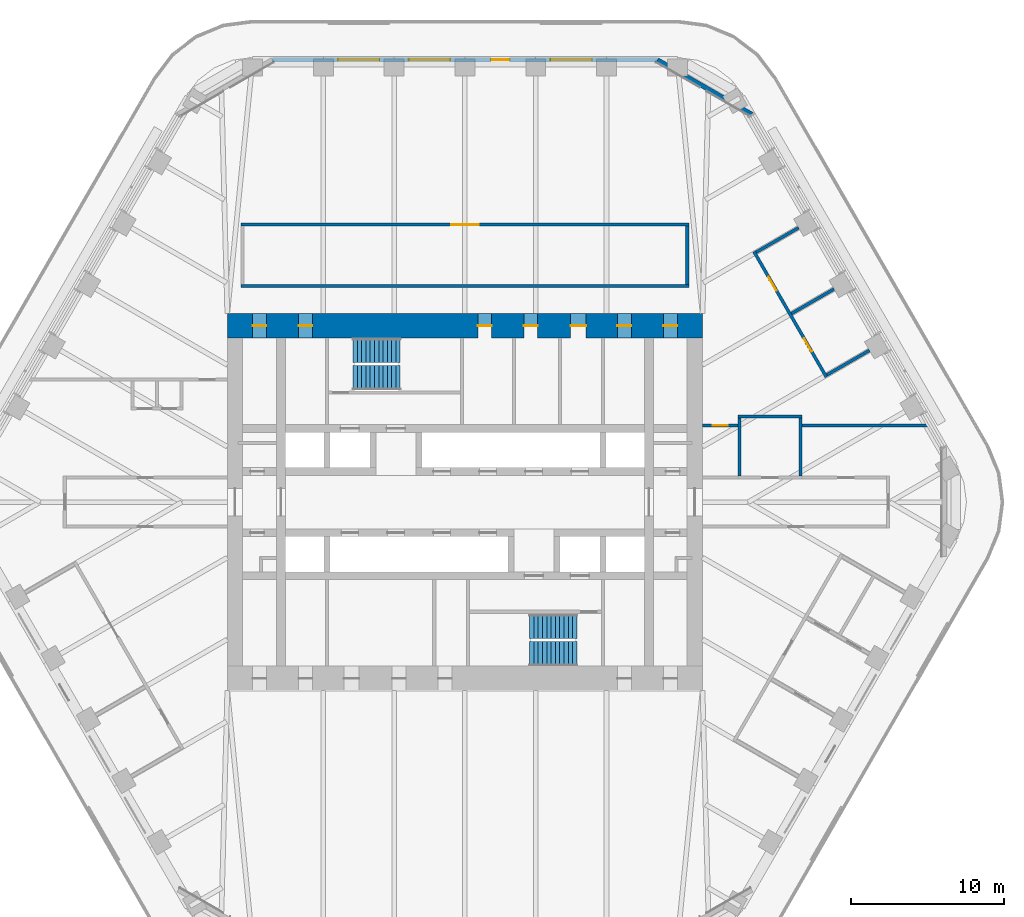
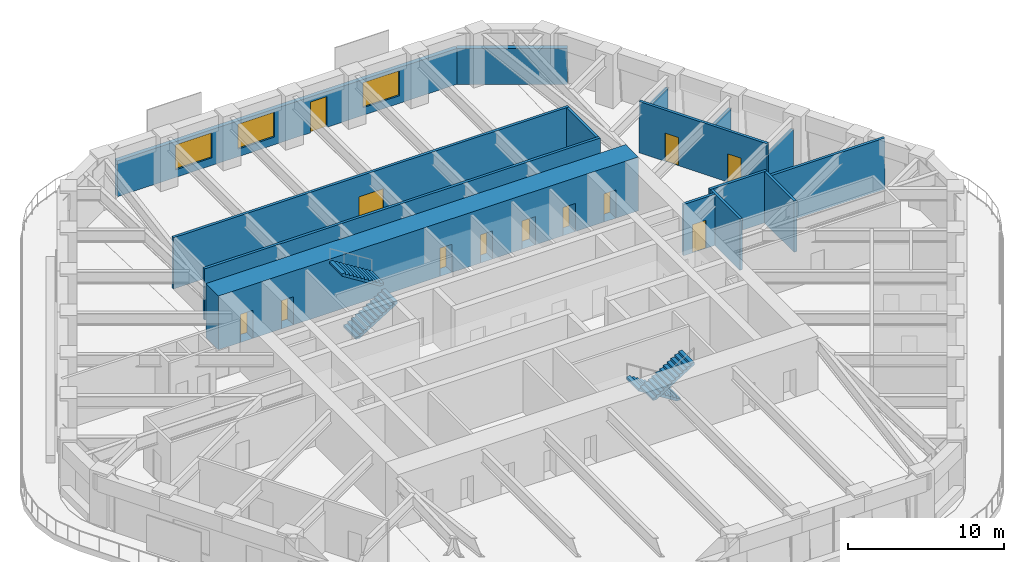
# One storey, part 17 of 20: 15 walls, 12 doors, 4 stair flights, 3 windows, 15 openings, 2 elements without a shape of their own.
"""IFC4 building model written with IfcOpenShell, lengths in metres."""

from ifc_helpers import new_model, si_unit, direction, frame, frame_2d, origin, place, context, subcontext, project, spatial, polyline, rectangle, outline, extrude, material, layer, layer_set, type_object, element, fill, aggregate, save


model = new_model("IFC4")

# Units and contexts
model_context = context("Model", 3, precision=1e-05, world=origin(), true_north=direction((0.0, 1.0)))
body_context = subcontext(model_context, "Body", "Model", "MODEL_VIEW")
ifc_project = project(units=[si_unit("LENGTHUNIT", "METRE"), si_unit("AREAUNIT", "SQUARE_METRE"), si_unit("VOLUMEUNIT", "CUBIC_METRE"), si_unit("PLANEANGLEUNIT", "RADIAN"), si_unit("MASSUNIT", "GRAM", prefix="KILO")], contexts=[model_context])

# Site, building, storey
site_placement = place(None, origin())
site = spatial("IfcSite", under=ifc_project, at=site_placement, CompositionType="ELEMENT")
building_placement = place(site_placement, origin())
building = spatial("IfcBuilding", under=site, at=building_placement, Name="Tarfa Lantern Tower", CompositionType="ELEMENT")
storey_placement = place(building_placement, frame((0.0, 0.0, 253.300048828125)))
storey = spatial("IfcBuildingStorey", under=building, at=storey_placement, Name="L57", CompositionType="ELEMENT", Elevation=253.300048828125)

# Wall
ifc_material_1 = material(Name="Limestone cladding on blockwork", Category="masonry")
ifc_layer_1 = layer(ifc_material_1, 0.300048828125)
ifc_layer_set_1 = layer_set([ifc_layer_1], Name="EW1 STONE-CLAD WALL 300")
wall_type_1 = type_object("IfcWallType", Name="EW1 STONE-CLAD WALL 300", PredefinedType="SOLIDWALL", material=ifc_layer_set_1)
wall_1_placement = place(storey_placement, frame((18.70654296875, 25.299072265625, 0.0), z_axis=(0.0, 0.0, 1.0), x_axis=(-0.866010973379, 0.500024993363, 0.0)))
element("IfcWall", 1, at=wall_1_placement, inside=storey, type_object=wall_type_1, Name="Garden wall NE-N", PredefinedType="SOLIDWALL", context=body_context, shape_type="SweptSolid", body=[
    extrude(rectangle(XDim=7.101806640625, YDim=0.300048828125, at=frame_2d((3.55078125, 0.0))), origin(), (0.0, 0.0, 1.0), 2.800048828125),
])

# Wall, openings, door, windows
wall_2_placement = place(storey_placement, frame((12.556396484375, 28.85009765625, 0.0), z_axis=(0.0, 0.0, 1.0), x_axis=(-1.0, 0.0, 0.0)))
wall_2 = element("IfcWall", 2, at=wall_2_placement, inside=storey, type_object=wall_type_1, Name="Stone wall N", PredefinedType="SOLIDWALL", context=body_context, shape_type="SweptSolid", body=[
    extrude(rectangle(XDim=25.11279296875, YDim=0.300048828125, at=frame_2d((12.556396484375, 0.0))), origin(), (0.0, 0.0, 1.0), 2.800048828125),
])
opening_1_placement = place(wall_2_placement, frame((4.2783203125, 0.0, 0.60009765625)))
opening_1 = element("IfcOpeningElement", 3, at=opening_1_placement, cuts=wall_2, Name="Opening W14", PredefinedType="OPENING", context=body_context, shape_type="SweptSolid", body=[
    extrude(rectangle(XDim=2.699951171875, YDim=1.949951171875, at=frame_2d((1.35009765625, 0.97509765625))), frame((0.0, 0.159912109375, 0.0), z_axis=(0.0, -1.0, 0.0), x_axis=(1.0, 0.0, 0.0)), (0.0, 0.0, 1.0), 0.320068359375),
])
opening_2_placement = place(wall_2_placement, frame((9.64697265625, 0.0, 0.0)))
opening_2 = element("IfcOpeningElement", 4, at=opening_2_placement, cuts=wall_2, Name="Opening D47", PredefinedType="OPENING", context=body_context, shape_type="SweptSolid", body=[
    extrude(rectangle(XDim=1.199951171875, YDim=2.39990234375, at=frame_2d((0.60009765625, 1.199951171875))), frame((0.0, 0.159912109375, 0.0), z_axis=(0.0, -1.0, 0.0), x_axis=(1.0, 0.0, 0.0)), (0.0, 0.0, 1.0), 0.320068359375),
])
opening_3_placement = place(wall_2_placement, frame((13.515869140625, 0.0, 0.60009765625)))
opening_3 = element("IfcOpeningElement", 5, at=opening_3_placement, cuts=wall_2, Name="Opening W14", PredefinedType="OPENING", context=body_context, shape_type="SweptSolid", body=[
    extrude(rectangle(XDim=2.699951171875, YDim=1.949951171875, at=frame_2d((1.35009765625, 0.97509765625))), frame((0.0, 0.159912109375, 0.0), z_axis=(0.0, -1.0, 0.0), x_axis=(1.0, 0.0, 0.0)), (0.0, 0.0, 1.0), 0.320068359375),
])
opening_4_placement = place(wall_2_placement, frame((18.134521484375, 0.0, 0.60009765625)))
opening_4 = element("IfcOpeningElement", 6, at=opening_4_placement, cuts=wall_2, Name="Opening W14", PredefinedType="OPENING", context=body_context, shape_type="SweptSolid", body=[
    extrude(rectangle(XDim=2.699951171875, YDim=1.949951171875, at=frame_2d((1.35009765625, 0.97509765625))), frame((0.0, 0.159912109375, 0.0), z_axis=(0.0, -1.0, 0.0), x_axis=(1.0, 0.0, 0.0)), (0.0, 0.0, 1.0), 0.320068359375),
])
ifc_material_2 = material(Name="Aluminium framed glazed door", Category="aluminium")
door_type_1 = type_object("IfcDoorType", Name="BE3 BALCONY DOOR 1200x2400", OperationType="SINGLE_SWING_RIGHT", PredefinedType="DOOR", material=ifc_material_2)
door_1_placement = place(opening_2_placement, origin())
door_1 = element("IfcDoor", 7, at=door_1_placement, inside=storey, type_object=door_type_1, Name="Balcony door N", OperationType="SINGLE_SWING_RIGHT", OverallHeight=2.39990234375, OverallWidth=1.199951171875, PredefinedType="DOOR", context=body_context, shape_type="SweptSolid", body=[
    extrude(rectangle(XDim=1.199951171875, YDim=2.39990234375, at=frame_2d((0.60009765625, 1.199951171875))), frame((0.0, 0.02490234375, 0.0), z_axis=(0.0, -1.0, 0.0), x_axis=(1.0, 0.0, 0.0)), (0.0, 0.0, 1.0), 0.050048828125),
])
fill(opening_2, door_1)
ifc_material_3 = material(Name="Aluminium frame, double glazed", Category="aluminium")
window_type = type_object("IfcWindowType", Name="W14 FULL-HEIGHT GLAZING 2700x1950", PartitioningType="SINGLE_PANEL", PredefinedType="WINDOW", material=ifc_material_3)
window_1_placement = place(opening_1_placement, origin())
window_1 = element("IfcWindow", 8, at=window_1_placement, inside=storey, type_object=window_type, Name="Window N 2", OverallHeight=1.949951171875, OverallWidth=2.699951171875, PartitioningType="SINGLE_PANEL", PredefinedType="WINDOW", context=body_context, shape_type="SweptSolid", body=[
    extrude(rectangle(XDim=2.699951171875, YDim=1.949951171875, at=frame_2d((1.35009765625, 0.97509765625))), frame((0.0, 0.030029296875, 0.0), z_axis=(0.0, -1.0, 0.0), x_axis=(1.0, 0.0, 0.0)), (0.0, 0.0, 1.0), 0.06005859375),
])
fill(opening_1, window_1)
window_2_placement = place(opening_3_placement, origin())
window_2 = element("IfcWindow", 9, at=window_2_placement, inside=storey, type_object=window_type, Name="Window N 4", OverallHeight=1.949951171875, OverallWidth=2.699951171875, PartitioningType="SINGLE_PANEL", PredefinedType="WINDOW", context=body_context, shape_type="SweptSolid", body=[
    extrude(rectangle(XDim=2.699951171875, YDim=1.949951171875, at=frame_2d((1.35009765625, 0.97509765625))), frame((0.0, 0.030029296875, 0.0), z_axis=(0.0, -1.0, 0.0), x_axis=(1.0, 0.0, 0.0)), (0.0, 0.0, 1.0), 0.06005859375),
])
fill(opening_3, window_2)
window_3_placement = place(opening_4_placement, origin())
window_3 = element("IfcWindow", 10, at=window_3_placement, inside=storey, type_object=window_type, Name="Window N 5", OverallHeight=1.949951171875, OverallWidth=2.699951171875, PartitioningType="SINGLE_PANEL", PredefinedType="WINDOW", context=body_context, shape_type="SweptSolid", body=[
    extrude(rectangle(XDim=2.699951171875, YDim=1.949951171875, at=frame_2d((1.35009765625, 0.97509765625))), frame((0.0, 0.030029296875, 0.0), z_axis=(0.0, -1.0, 0.0), x_axis=(1.0, 0.0, 0.0)), (0.0, 0.0, 1.0), 0.06005859375),
])
fill(opening_4, window_3)

# Wall
ifc_material_4 = material(Name="Gypsum board on steel studs", Category="steel")
ifc_layer_2 = layer(ifc_material_4, 0.2099609375)
ifc_layer_set_2 = layer_set([ifc_layer_2], Name="IW2 ACOUSTIC PARTITION 200")
wall_type_2 = type_object("IfcWallType", Name="IW2 ACOUSTIC PARTITION 200", PredefinedType="PARTITIONING", material=ifc_layer_set_2)
wall_3_placement = place(storey_placement, frame((-14.60009765625, 14.10009765625, 0.0), z_axis=(0.0, 0.0, 1.0), x_axis=(1.0, 0.0, 0.0)))
element("IfcWall", 11, at=wall_3_placement, inside=storey, type_object=wall_type_2, Name="Partition", PredefinedType="PARTITIONING", context=body_context, shape_type="SweptSolid", body=[
    extrude(rectangle(XDim=29.2001953125, YDim=0.199951171875, at=frame_2d((14.60009765625, 0.0))), origin(), (0.0, 0.0, 1.0), 4.0),
])

# Wall, opening, door
wall_4_placement = place(storey_placement, frame((-14.60009765625, 18.10009765625, 0.0), z_axis=(0.0, 0.0, 1.0), x_axis=(1.0, 0.0, 0.0)))
wall_4 = element("IfcWall", 12, at=wall_4_placement, inside=storey, type_object=wall_type_2, Name="Partition", PredefinedType="PARTITIONING", context=body_context, shape_type="SweptSolid", body=[
    extrude(rectangle(XDim=29.2001953125, YDim=0.199951171875, at=frame_2d((14.60009765625, 0.0))), origin(), (0.0, 0.0, 1.0), 4.0),
])
opening_5_placement = place(wall_4_placement, frame((13.699951171875, 0.0, 0.0)))
opening_5 = element("IfcOpeningElement", 13, at=opening_5_placement, cuts=wall_4, Name="Opening D36", PredefinedType="OPENING", context=body_context, shape_type="SweptSolid", body=[
    extrude(rectangle(XDim=1.800048828125, YDim=2.39990234375, at=frame_2d((0.89990234375, 1.199951171875))), frame((0.0, 0.10986328125, 0.0), z_axis=(0.0, -1.0, 0.0), x_axis=(1.0, 0.0, 0.0)), (0.0, 0.0, 1.0), 0.219970703125),
])
ifc_material_5 = material(Name="Timber door", Category="wood")
door_type_2 = type_object("IfcDoorType", Name="DR2 ROOM DOOR 1800x2400", OperationType="DOUBLE_DOOR_SINGLE_SWING", PredefinedType="DOOR", material=ifc_material_5)
door_2_placement = place(opening_5_placement, frame((1.800048828125, 0.0, 0.0), z_axis=(0.0, 0.0, 1.0), x_axis=(-1.0, 0.0, 0.0)))
door_2 = element("IfcDoor", 14, at=door_2_placement, inside=storey, type_object=door_type_2, Name="Board papers room door", OperationType="DOUBLE_DOOR_SINGLE_SWING", OverallHeight=2.39990234375, OverallWidth=1.800048828125, PredefinedType="DOOR", context=body_context, shape_type="SweptSolid", body=[
    extrude(rectangle(XDim=1.800048828125, YDim=2.39990234375, at=frame_2d((0.89990234375, 1.199951171875))), frame((0.0, 0.02490234375, 0.0), z_axis=(0.0, -1.0, 0.0), x_axis=(1.0, 0.0, 0.0)), (0.0, 0.0, 1.0), 0.050048828125),
])
fill(opening_5, door_2)

# Wall
wall_5_placement = place(storey_placement, frame((14.5, 14.199951171875, 0.0), z_axis=(0.0, 0.0, 1.0), x_axis=(0.0, 1.0, 0.0)))
element("IfcWall", 15, at=wall_5_placement, inside=storey, type_object=wall_type_2, Name="Partition", PredefinedType="PARTITIONING", context=body_context, shape_type="SweptSolid", body=[
    extrude(rectangle(XDim=3.800048828125, YDim=0.199951171875, at=frame_2d((1.89990234375, 0.0))), origin(), (0.0, 0.0, 1.0), 4.0),
])

# Wall, openings, doors
wall_6_placement = place(storey_placement, frame((23.576904296875, 8.163330078125, 0.0), z_axis=(0.0, 0.0, 1.0), x_axis=(-0.499989672313, 0.866031366395, 0.0)))
wall_6 = element("IfcWall", 16, at=wall_6_placement, inside=storey, type_object=wall_type_2, Name="Partition", PredefinedType="PARTITIONING", context=body_context, shape_type="SweptSolid", body=[
    extrude(rectangle(XDim=9.437744140625, YDim=0.199951171875, at=frame_2d((4.71875, 0.0))), origin(), (0.0, 0.0, 1.0), 4.0),
])
opening_6_placement = place(wall_6_placement, frame((1.909423828125, 0.0, 0.0)))
opening_6 = element("IfcOpeningElement", 17, at=opening_6_placement, cuts=wall_6, Name="Opening D28", PredefinedType="OPENING", context=body_context, shape_type="SweptSolid", body=[
    extrude(rectangle(XDim=1.0, YDim=2.199951171875, at=frame_2d((0.5, 1.10009765625))), frame((0.0, 0.10986328125, 0.0), z_axis=(0.0, -1.0, 0.0), x_axis=(1.0, 0.0, 0.0)), (0.0, 0.0, 1.0), 0.219970703125),
])
opening_7_placement = place(wall_6_placement, frame((6.5283203125, 0.0, 0.0)))
opening_7 = element("IfcOpeningElement", 18, at=opening_7_placement, cuts=wall_6, Name="Opening D29", PredefinedType="OPENING", context=body_context, shape_type="SweptSolid", body=[
    extrude(rectangle(XDim=1.0, YDim=2.199951171875, at=frame_2d((0.5, 1.10009765625))), frame((0.0, 0.10986328125, 0.0), z_axis=(0.0, -1.0, 0.0), x_axis=(1.0, 0.0, 0.0)), (0.0, 0.0, 1.0), 0.219970703125),
])
door_type_3 = type_object("IfcDoorType", Name="DR1 ROOM DOOR 1000x2200", OperationType="SINGLE_SWING_LEFT", PredefinedType="DOOR", material=ifc_material_5)
door_3_placement = place(opening_6_placement, frame((1.0, 0.0, 0.0), z_axis=(0.0, 0.0, 1.0), x_axis=(-1.0, 0.0, 0.0)))
door_3 = element("IfcDoor", 19, at=door_3_placement, inside=storey, type_object=door_type_3, Name="Office door", OperationType="SINGLE_SWING_LEFT", OverallHeight=2.199951171875, OverallWidth=1.0, PredefinedType="DOOR", context=body_context, shape_type="SweptSolid", body=[
    extrude(rectangle(XDim=1.0, YDim=2.199951171875, at=frame_2d((0.5, 1.10009765625))), frame((0.0, 0.02490234375, 0.0), z_axis=(0.0, -1.0, 0.0), x_axis=(1.0, 0.0, 0.0)), (0.0, 0.0, 1.0), 0.050048828125),
])
fill(opening_6, door_3)
door_4_placement = place(opening_7_placement, frame((1.0, 0.0, 0.0), z_axis=(0.0, 0.0, 1.0), x_axis=(-1.0, 0.0, 0.0)))
door_4 = element("IfcDoor", 20, at=door_4_placement, inside=storey, type_object=door_type_3, Name="Office door", OperationType="SINGLE_SWING_RIGHT", OverallHeight=2.199951171875, OverallWidth=1.0, PredefinedType="DOOR", context=body_context, shape_type="SweptSolid", body=[
    extrude(rectangle(XDim=1.0, YDim=2.199951171875, at=frame_2d((0.5, 1.10009765625))), frame((0.0, 0.02490234375, 0.0), z_axis=(0.0, -1.0, 0.0), x_axis=(1.0, 0.0, 0.0)), (0.0, 0.0, 1.0), 0.050048828125),
])
fill(opening_7, door_4)

# Walls
wall_7_placement = place(storey_placement, frame((23.613525390625, 8.300048828125, 0.0), z_axis=(0.0, 0.0, 1.0), x_axis=(0.866061088033, 0.499938187974, 0.0)))
element("IfcWall", 21, at=wall_7_placement, inside=storey, type_object=wall_type_2, Name="Partition", PredefinedType="PARTITIONING", context=body_context, shape_type="SweptSolid", body=[
    extrude(rectangle(XDim=3.2001953125, YDim=0.199951171875, at=frame_2d((1.60009765625, 0.0))), origin(), (0.0, 0.0, 1.0), 3.08154296875),
])
for number, where, z_axis, x_axis, name in (
    (22, (21.30419921875, 12.300048828125, 0.0), (0.0, 0.0, 1.0), (0.866042017984, 0.499971222258, 0.0), "Partition"),
    (23, (18.994873046875, 16.300048828125, 0.0), (0.0, 0.0, 1.0), (0.866042017984, 0.499971222258, 0.0), "Partition"),
):
    element("IfcWall", number, at=place(storey_placement, frame(where, z_axis=z_axis, x_axis=x_axis)), inside=storey, type_object=wall_type_2, Name=name, PredefinedType="PARTITIONING", context=body_context, shape_type="SweptSolid", body=[
        extrude(rectangle(XDim=3.199951171875, YDim=0.199951171875, at=frame_2d((1.60009765625, 0.0))), origin(), (0.0, 0.0, 1.0), 3.08154296875),
    ])
wall_8_placement = place(storey_placement, frame((17.800048828125, 5.60009765625, 0.0), z_axis=(0.0, 0.0, 1.0), x_axis=(1.0, 0.0, 0.0)))
element("IfcWall", 24, at=wall_8_placement, inside=storey, type_object=wall_type_2, Name="Partition", PredefinedType="PARTITIONING", context=body_context, shape_type="SweptSolid", body=[
    extrude(rectangle(XDim=4.199951171875, YDim=0.199951171875, at=frame_2d((2.10009765625, 0.0))), origin(), (0.0, 0.0, 1.0), 4.0),
])
for number, where, z_axis, x_axis, name in (
    (25, (17.89990234375, 1.699951171875, 0.0), (0.0, 0.0, 1.0), (0.0, 1.0, 0.0), "Partition"),
    (26, (21.89990234375, 1.699951171875, 0.0), (0.0, 0.0, 1.0), (0.0, 1.0, 0.0), "Partition"),
):
    element("IfcWall", number, at=place(storey_placement, frame(where, z_axis=z_axis, x_axis=x_axis)), inside=storey, type_object=wall_type_2, Name=name, PredefinedType="PARTITIONING", context=body_context, shape_type="SweptSolid", body=[
        extrude(rectangle(XDim=3.800048828125, YDim=0.199951171875, at=frame_2d((1.89990234375, 0.0))), origin(), (0.0, 0.0, 1.0), 4.0),
    ])

# Wall, opening, door
wall_9_placement = place(storey_placement, frame((15.5, 5.0, 0.0), z_axis=(0.0, 0.0, 1.0), x_axis=(1.0, 0.0, 0.0)))
wall_9 = element("IfcWall", 27, at=wall_9_placement, inside=storey, type_object=wall_type_2, Name="Partition", PredefinedType="PARTITIONING", context=body_context, shape_type="SweptSolid", body=[
    extrude(rectangle(XDim=2.300048828125, YDim=0.199951171875, at=frame_2d((1.14990234375, 0.0))), origin(), (0.0, 0.0, 1.0), 4.0),
])
opening_8_placement = place(wall_9_placement, frame((0.64990234375, 0.0, 0.0)))
opening_8 = element("IfcOpeningElement", 28, at=opening_8_placement, cuts=wall_9, Name="Opening D45", PredefinedType="OPENING", context=body_context, shape_type="SweptSolid", body=[
    extrude(rectangle(XDim=1.0, YDim=2.199951171875, at=frame_2d((0.5, 1.10009765625))), frame((0.0, 0.10986328125, 0.0), z_axis=(0.0, -1.0, 0.0), x_axis=(1.0, 0.0, 0.0)), (0.0, 0.0, 1.0), 0.219970703125),
])
door_5_placement = place(opening_8_placement, frame((1.0, 0.0, 0.0), z_axis=(0.0, 0.0, 1.0), x_axis=(-1.0, 0.0, 0.0)))
door_5 = element("IfcDoor", 29, at=door_5_placement, inside=storey, type_object=door_type_3, Name="Zone door", OperationType="SINGLE_SWING_RIGHT", OverallHeight=2.199951171875, OverallWidth=1.0, PredefinedType="DOOR", context=body_context, shape_type="SweptSolid", body=[
    extrude(rectangle(XDim=1.0, YDim=2.199951171875, at=frame_2d((0.5, 1.10009765625))), frame((0.0, 0.02490234375, 0.0), z_axis=(0.0, -1.0, 0.0), x_axis=(1.0, 0.0, 0.0)), (0.0, 0.0, 1.0), 0.050048828125),
])
fill(opening_8, door_5)

# Wall
wall_10_placement = place(storey_placement, frame((22.0, 5.0, 0.0), z_axis=(0.0, 0.0, 1.0), x_axis=(1.0, 0.0, 0.0)))
element("IfcWall", 30, at=wall_10_placement, inside=storey, type_object=wall_type_2, Name="Partition", PredefinedType="PARTITIONING", context=body_context, shape_type="SweptSolid", body=[
    extrude(rectangle(XDim=8.345458984375, YDim=0.199951171875, at=frame_2d((4.1728515625, 0.0))), origin(), (0.0, 0.0, 1.0), 4.0),
])

# Wall, openings, doors
ifc_material_6 = material(Name="Concrete C80/95", Category="concrete")
ifc_layer_3 = layer(ifc_material_6, 1.60009765625)
ifc_layer_set_3 = layer_set([ifc_layer_3], Name="SW7 CORE WALL 1600")
wall_type_3 = type_object("IfcWallType", Name="SW7 CORE WALL 1600", PredefinedType="SHEAR", material=ifc_layer_set_3)
wall_11_placement = place(storey_placement, frame((-15.5, 11.5, 0.0), z_axis=(0.0, 0.0, 1.0), x_axis=(1.0, 0.0, 0.0)))
wall_11 = element("IfcWall", 31, at=wall_11_placement, inside=storey, type_object=wall_type_3, Name="Core wall N", PredefinedType="SHEAR", context=body_context, shape_type="SweptSolid", body=[
    extrude(rectangle(XDim=31.0, YDim=1.60009765625, at=frame_2d((15.5, 0.0))), origin(), (0.0, 0.0, 1.0), 4.199951171875),
])
opening_9_placement = place(wall_11_placement, frame((16.35009765625, 0.0, 0.0)))
opening_9 = element("IfcOpeningElement", 32, at=opening_9_placement, cuts=wall_11, Name="Opening D17", PredefinedType="OPENING", context=body_context, shape_type="SweptSolid", body=[
    extrude(rectangle(XDim=0.89990234375, YDim=2.199951171875, at=frame_2d((0.449951171875, 1.10009765625))), frame((0.0, 0.81005859375, 0.0), z_axis=(0.0, -1.0, 0.0), x_axis=(1.0, 0.0, 0.0)), (0.0, 0.0, 1.0), 1.6201171875),
])
opening_10_placement = place(wall_11_placement, frame((19.35009765625, 0.0, 0.0)))
opening_10 = element("IfcOpeningElement", 33, at=opening_10_placement, cuts=wall_11, Name="Opening D19", PredefinedType="OPENING", context=body_context, shape_type="SweptSolid", body=[
    extrude(rectangle(XDim=0.89990234375, YDim=2.199951171875, at=frame_2d((0.449951171875, 1.10009765625))), frame((0.0, 0.81005859375, 0.0), z_axis=(0.0, -1.0, 0.0), x_axis=(1.0, 0.0, 0.0)), (0.0, 0.0, 1.0), 1.6201171875),
])
opening_11_placement = place(wall_11_placement, frame((22.39990234375, 0.0, 0.0)))
opening_11 = element("IfcOpeningElement", 34, at=opening_11_placement, cuts=wall_11, Name="Opening D21", PredefinedType="OPENING", context=body_context, shape_type="SweptSolid", body=[
    extrude(rectangle(XDim=1.0, YDim=2.199951171875, at=frame_2d((0.5, 1.10009765625))), frame((0.0, 0.81005859375, 0.0), z_axis=(0.0, -1.0, 0.0), x_axis=(1.0, 0.0, 0.0)), (0.0, 0.0, 1.0), 1.6201171875),
])
opening_12_placement = place(wall_11_placement, frame((1.64990234375, 0.0, 0.0)))
opening_12 = element("IfcOpeningElement", 35, at=opening_12_placement, cuts=wall_11, Name="Opening D07", PredefinedType="OPENING", context=body_context, shape_type="SweptSolid", body=[
    extrude(rectangle(XDim=0.89990234375, YDim=2.199951171875, at=frame_2d((0.449951171875, 1.10009765625))), frame((0.0, 0.81005859375, 0.0), z_axis=(0.0, -1.0, 0.0), x_axis=(1.0, 0.0, 0.0)), (0.0, 0.0, 1.0), 1.6201171875),
])
opening_13_placement = place(wall_11_placement, frame((4.64990234375, 0.0, 0.0)))
opening_13 = element("IfcOpeningElement", 36, at=opening_13_placement, cuts=wall_11, Name="Opening D05", PredefinedType="OPENING", context=body_context, shape_type="SweptSolid", body=[
    extrude(rectangle(XDim=0.89990234375, YDim=2.199951171875, at=frame_2d((0.449951171875, 1.10009765625))), frame((0.0, 0.81005859375, 0.0), z_axis=(0.0, -1.0, 0.0), x_axis=(1.0, 0.0, 0.0)), (0.0, 0.0, 1.0), 1.6201171875),
])
opening_14_placement = place(wall_11_placement, frame((25.449951171875, 0.0, 0.0)))
opening_14 = element("IfcOpeningElement", 37, at=opening_14_placement, cuts=wall_11, Name="Opening D03", PredefinedType="OPENING", context=body_context, shape_type="SweptSolid", body=[
    extrude(rectangle(XDim=0.89990234375, YDim=2.199951171875, at=frame_2d((0.449951171875, 1.10009765625))), frame((0.0, 0.81005859375, 0.0), z_axis=(0.0, -1.0, 0.0), x_axis=(1.0, 0.0, 0.0)), (0.0, 0.0, 1.0), 1.6201171875),
])
opening_15_placement = place(wall_11_placement, frame((28.449951171875, 0.0, 0.0)))
opening_15 = element("IfcOpeningElement", 38, at=opening_15_placement, cuts=wall_11, Name="Opening D01", PredefinedType="OPENING", context=body_context, shape_type="SweptSolid", body=[
    extrude(rectangle(XDim=0.89990234375, YDim=2.199951171875, at=frame_2d((0.449951171875, 1.10009765625))), frame((0.0, 0.81005859375, 0.0), z_axis=(0.0, -1.0, 0.0), x_axis=(1.0, 0.0, 0.0)), (0.0, 0.0, 1.0), 1.6201171875),
])
ifc_material_7 = material(Name="Steel fire door", Category="steel")
door_type_4 = type_object("IfcDoorType", Name="DF3 CORE ROOM DOOR 900x2200", OperationType="SINGLE_SWING_LEFT", PredefinedType="DOOR", material=ifc_material_7)
door_6_placement = place(opening_9_placement, frame((0.89990234375, 0.0, 0.0), z_axis=(0.0, 0.0, 1.0), x_axis=(-1.0, 0.0, 0.0)))
door_6 = element("IfcDoor", 39, at=door_6_placement, inside=storey, type_object=door_type_4, Name="Core door", OperationType="SINGLE_SWING_LEFT", OverallHeight=2.199951171875, OverallWidth=0.89990234375, PredefinedType="DOOR", context=body_context, shape_type="SweptSolid", body=[
    extrude(rectangle(XDim=0.89990234375, YDim=2.199951171875, at=frame_2d((0.449951171875, 1.10009765625))), frame((0.0, 0.02490234375, 0.0), z_axis=(0.0, -1.0, 0.0), x_axis=(1.0, 0.0, 0.0)), (0.0, 0.0, 1.0), 0.050048828125),
])
fill(opening_9, door_6)
door_7_placement = place(opening_10_placement, frame((0.89990234375, 0.0, 0.0), z_axis=(0.0, 0.0, 1.0), x_axis=(-1.0, 0.0, 0.0)))
door_7 = element("IfcDoor", 40, at=door_7_placement, inside=storey, type_object=door_type_4, Name="Core door", OperationType="SINGLE_SWING_LEFT", OverallHeight=2.199951171875, OverallWidth=0.89990234375, PredefinedType="DOOR", context=body_context, shape_type="SweptSolid", body=[
    extrude(rectangle(XDim=0.89990234375, YDim=2.199951171875, at=frame_2d((0.449951171875, 1.10009765625))), frame((0.0, 0.02490234375, 0.0), z_axis=(0.0, -1.0, 0.0), x_axis=(1.0, 0.0, 0.0)), (0.0, 0.0, 1.0), 0.050048828125),
])
fill(opening_10, door_7)
door_type_5 = type_object("IfcDoorType", Name="DF4 CORE ROOM DOOR 1000x2200", OperationType="SINGLE_SWING_LEFT", PredefinedType="DOOR", material=ifc_material_7)
door_8_placement = place(opening_11_placement, frame((1.0, 0.0, 0.0), z_axis=(0.0, 0.0, 1.0), x_axis=(-1.0, 0.0, 0.0)))
door_8 = element("IfcDoor", 41, at=door_8_placement, inside=storey, type_object=door_type_5, Name="Core door", OperationType="SINGLE_SWING_LEFT", OverallHeight=2.199951171875, OverallWidth=1.0, PredefinedType="DOOR", context=body_context, shape_type="SweptSolid", body=[
    extrude(rectangle(XDim=1.0, YDim=2.199951171875, at=frame_2d((0.5, 1.10009765625))), frame((0.0, 0.02490234375, 0.0), z_axis=(0.0, -1.0, 0.0), x_axis=(1.0, 0.0, 0.0)), (0.0, 0.0, 1.0), 0.050048828125),
])
fill(opening_11, door_8)
door_type_6 = type_object("IfcDoorType", Name="DF5 RISER DOOR 900x2200", OperationType="SINGLE_SWING_LEFT", PredefinedType="DOOR", material=ifc_material_7)
door_9_placement = place(opening_12_placement, frame((0.89990234375, 0.0, 0.0), z_axis=(0.0, 0.0, 1.0), x_axis=(-1.0, 0.0, 0.0)))
door_9 = element("IfcDoor", 42, at=door_9_placement, inside=storey, type_object=door_type_6, Name="Riser door", OperationType="SINGLE_SWING_LEFT", OverallHeight=2.199951171875, OverallWidth=0.89990234375, PredefinedType="DOOR", context=body_context, shape_type="SweptSolid", body=[
    extrude(rectangle(XDim=0.89990234375, YDim=2.199951171875, at=frame_2d((0.449951171875, 1.10009765625))), frame((0.0, 0.02490234375, 0.0), z_axis=(0.0, -1.0, 0.0), x_axis=(1.0, 0.0, 0.0)), (0.0, 0.0, 1.0), 0.050048828125),
])
fill(opening_12, door_9)
door_10_placement = place(opening_13_placement, frame((0.89990234375, 0.0, 0.0), z_axis=(0.0, 0.0, 1.0), x_axis=(-1.0, 0.0, 0.0)))
door_10 = element("IfcDoor", 43, at=door_10_placement, inside=storey, type_object=door_type_6, Name="Riser door", OperationType="SINGLE_SWING_LEFT", OverallHeight=2.199951171875, OverallWidth=0.89990234375, PredefinedType="DOOR", context=body_context, shape_type="SweptSolid", body=[
    extrude(rectangle(XDim=0.89990234375, YDim=2.199951171875, at=frame_2d((0.449951171875, 1.10009765625))), frame((0.0, 0.02490234375, 0.0), z_axis=(0.0, -1.0, 0.0), x_axis=(1.0, 0.0, 0.0)), (0.0, 0.0, 1.0), 0.050048828125),
])
fill(opening_13, door_10)
door_11_placement = place(opening_14_placement, frame((0.89990234375, 0.0, 0.0), z_axis=(0.0, 0.0, 1.0), x_axis=(-1.0, 0.0, 0.0)))
door_11 = element("IfcDoor", 44, at=door_11_placement, inside=storey, type_object=door_type_6, Name="Riser door", OperationType="SINGLE_SWING_RIGHT", OverallHeight=2.199951171875, OverallWidth=0.89990234375, PredefinedType="DOOR", context=body_context, shape_type="SweptSolid", body=[
    extrude(rectangle(XDim=0.89990234375, YDim=2.199951171875, at=frame_2d((0.449951171875, 1.10009765625))), frame((0.0, 0.02490234375, 0.0), z_axis=(0.0, -1.0, 0.0), x_axis=(1.0, 0.0, 0.0)), (0.0, 0.0, 1.0), 0.050048828125),
])
fill(opening_14, door_11)
door_12_placement = place(opening_15_placement, frame((0.89990234375, 0.0, 0.0), z_axis=(0.0, 0.0, 1.0), x_axis=(-1.0, 0.0, 0.0)))
door_12 = element("IfcDoor", 45, at=door_12_placement, inside=storey, type_object=door_type_6, Name="Riser door", OperationType="SINGLE_SWING_RIGHT", OverallHeight=2.199951171875, OverallWidth=0.89990234375, PredefinedType="DOOR", context=body_context, shape_type="SweptSolid", body=[
    extrude(rectangle(XDim=0.89990234375, YDim=2.199951171875, at=frame_2d((0.449951171875, 1.10009765625))), frame((0.0, 0.02490234375, 0.0), z_axis=(0.0, -1.0, 0.0), x_axis=(1.0, 0.0, 0.0)), (0.0, 0.0, 1.0), 0.050048828125),
])
fill(opening_15, door_12)

# Stair, stair flights
ifc_material_8 = material(Name="Concrete C40/50", Category="concrete")
stair_type = type_object("IfcStairType", Name="ST-T10 HALF-TURN STAIR 4200 RISE", PredefinedType="HALF_TURN_STAIR", material=ifc_material_8)
stair_1_placement = place(storey_placement, origin())
stair_1 = element("IfcStair", 46, at=stair_1_placement, inside=storey, type_object=stair_type, Name="Stair ST1", PredefinedType="HALF_TURN_STAIR")
stair_flight_type = type_object("IfcStairFlightType", Name="SF1 STAIR FLIGHT", PredefinedType="STRAIGHT", material=ifc_material_8)
stair_flight_1_placement = place(storey_placement, frame((-7.300048828125, 8.10009765625, 0.0), z_axis=(0.0, 0.0, 1.0), x_axis=(1.0, 0.0, 0.0)))
stair_flight_1 = element("IfcStairFlight", 47, at=stair_flight_1_placement, type_object=stair_flight_type, Name="ST1 flight 1", NumberOfRisers=12, NumberOfTreads=11, PredefinedType="STRAIGHT", RiserHeight=0.175, TreadLength=0.28, context=body_context, shape_type="SweptSolid", body=[
    extrude(outline(polyline([(0.0, 0.0), (0.0, 0.175048828125), (0.280029296875, 0.175048828125), (0.280029296875, 0.35009765625), (0.56005859375, 0.35009765625), (0.56005859375, 0.52490234375), (0.840087890625, 0.52490234375), (0.840087890625, 0.699951171875), (1.1201171875, 0.699951171875), (1.1201171875, 0.875), (1.39990234375, 0.875), (1.39990234375, 1.050048828125), (1.679931640625, 1.050048828125), (1.679931640625, 1.22509765625), (1.9599609375, 1.22509765625), (1.9599609375, 1.39990234375), (2.239990234375, 1.39990234375), (2.239990234375, 1.574951171875), (2.52001953125, 1.574951171875), (2.52001953125, 1.75), (2.800048828125, 1.75), (2.800048828125, 1.925048828125), (3.080078125, 1.925048828125), (3.080078125, 2.10009765625), (3.080078125, 1.748291015625), (0.28271484375, 0.0), (0.0, 0.0)])), frame((0.0, 0.800048828125, 0.0), z_axis=(0.0, -1.0, 0.0), x_axis=(1.0, 0.0, 0.0)), (0.0, 0.0, 1.0), 1.60009765625),
])
stair_flight_2_placement = place(storey_placement, frame((-4.219970703125, 9.89990234375, 2.099853515625), z_axis=(0.0, 0.0, 1.0), x_axis=(-1.0, 0.0, 0.0)))
stair_flight_2 = element("IfcStairFlight", 48, at=stair_flight_2_placement, type_object=stair_flight_type, Name="ST1 flight 2", NumberOfRisers=12, NumberOfTreads=11, PredefinedType="STRAIGHT", RiserHeight=0.175, TreadLength=0.28, context=body_context, shape_type="SweptSolid", body=[
    extrude(outline(polyline([(0.0, 0.0), (0.0, 0.175048828125), (0.280029296875, 0.175048828125), (0.280029296875, 0.35009765625), (0.56005859375, 0.35009765625), (0.56005859375, 0.52490234375), (0.840087890625, 0.52490234375), (0.840087890625, 0.699951171875), (1.1201171875, 0.699951171875), (1.1201171875, 0.875), (1.39990234375, 0.875), (1.39990234375, 1.050048828125), (1.679931640625, 1.050048828125), (1.679931640625, 1.22509765625), (1.9599609375, 1.22509765625), (1.9599609375, 1.39990234375), (2.239990234375, 1.39990234375), (2.239990234375, 1.574951171875), (2.52001953125, 1.574951171875), (2.52001953125, 1.75), (2.800048828125, 1.75), (2.800048828125, 1.925048828125), (3.080078125, 1.925048828125), (3.080078125, 2.10009765625), (3.080078125, 1.748291015625), (0.28271484375, 0.0), (0.0, 0.0)])), frame((0.0, 0.800048828125, 0.0), z_axis=(0.0, -1.0, 0.0), x_axis=(1.0, 0.0, 0.0)), (0.0, 0.0, 1.0), 1.60009765625),
])
aggregate(stair_1, [stair_flight_1, stair_flight_2])

stair_2_placement = place(storey_placement, origin())
stair_2 = element("IfcStair", 49, at=stair_2_placement, inside=storey, type_object=stair_type, Name="Stair ST2", PredefinedType="HALF_TURN_STAIR")
stair_flight_3_placement = place(storey_placement, frame((7.300048828125, -8.10009765625, 0.0), z_axis=(0.0, 0.0, 1.0), x_axis=(-1.0, 0.0, 0.0)))
stair_flight_3 = element("IfcStairFlight", 50, at=stair_flight_3_placement, type_object=stair_flight_type, Name="ST2 flight 1", NumberOfRisers=12, NumberOfTreads=11, PredefinedType="STRAIGHT", RiserHeight=0.175, TreadLength=0.28, context=body_context, shape_type="SweptSolid", body=[
    extrude(outline(polyline([(0.0, 0.0), (0.0, 0.175048828125), (0.280029296875, 0.175048828125), (0.280029296875, 0.35009765625), (0.56005859375, 0.35009765625), (0.56005859375, 0.52490234375), (0.840087890625, 0.52490234375), (0.840087890625, 0.699951171875), (1.1201171875, 0.699951171875), (1.1201171875, 0.875), (1.39990234375, 0.875), (1.39990234375, 1.050048828125), (1.679931640625, 1.050048828125), (1.679931640625, 1.22509765625), (1.9599609375, 1.22509765625), (1.9599609375, 1.39990234375), (2.239990234375, 1.39990234375), (2.239990234375, 1.574951171875), (2.52001953125, 1.574951171875), (2.52001953125, 1.75), (2.800048828125, 1.75), (2.800048828125, 1.925048828125), (3.080078125, 1.925048828125), (3.080078125, 2.10009765625), (3.080078125, 1.748291015625), (0.28271484375, 0.0), (0.0, 0.0)])), frame((0.0, 0.800048828125, 0.0), z_axis=(0.0, -1.0, 0.0), x_axis=(1.0, 0.0, 0.0)), (0.0, 0.0, 1.0), 1.60009765625),
])
stair_flight_4_placement = place(storey_placement, frame((4.219970703125, -9.89990234375, 2.099853515625), z_axis=(0.0, 0.0, 1.0), x_axis=(1.0, 0.0, 0.0)))
stair_flight_4 = element("IfcStairFlight", 51, at=stair_flight_4_placement, type_object=stair_flight_type, Name="ST2 flight 2", NumberOfRisers=12, NumberOfTreads=11, PredefinedType="STRAIGHT", RiserHeight=0.175, TreadLength=0.28, context=body_context, shape_type="SweptSolid", body=[
    extrude(outline(polyline([(0.0, 0.0), (0.0, 0.175048828125), (0.280029296875, 0.175048828125), (0.280029296875, 0.35009765625), (0.56005859375, 0.35009765625), (0.56005859375, 0.52490234375), (0.840087890625, 0.52490234375), (0.840087890625, 0.699951171875), (1.1201171875, 0.699951171875), (1.1201171875, 0.875), (1.39990234375, 0.875), (1.39990234375, 1.050048828125), (1.679931640625, 1.050048828125), (1.679931640625, 1.22509765625), (1.9599609375, 1.22509765625), (1.9599609375, 1.39990234375), (2.239990234375, 1.39990234375), (2.239990234375, 1.574951171875), (2.52001953125, 1.574951171875), (2.52001953125, 1.75), (2.800048828125, 1.75), (2.800048828125, 1.925048828125), (3.080078125, 1.925048828125), (3.080078125, 2.10009765625), (3.080078125, 1.748291015625), (0.28271484375, 0.0), (0.0, 0.0)])), frame((0.0, 0.800048828125, 0.0), z_axis=(0.0, -1.0, 0.0), x_axis=(1.0, 0.0, 0.0)), (0.0, 0.0, 1.0), 1.60009765625),
])
aggregate(stair_2, [stair_flight_3, stair_flight_4])

save(model, "model.ifc")
